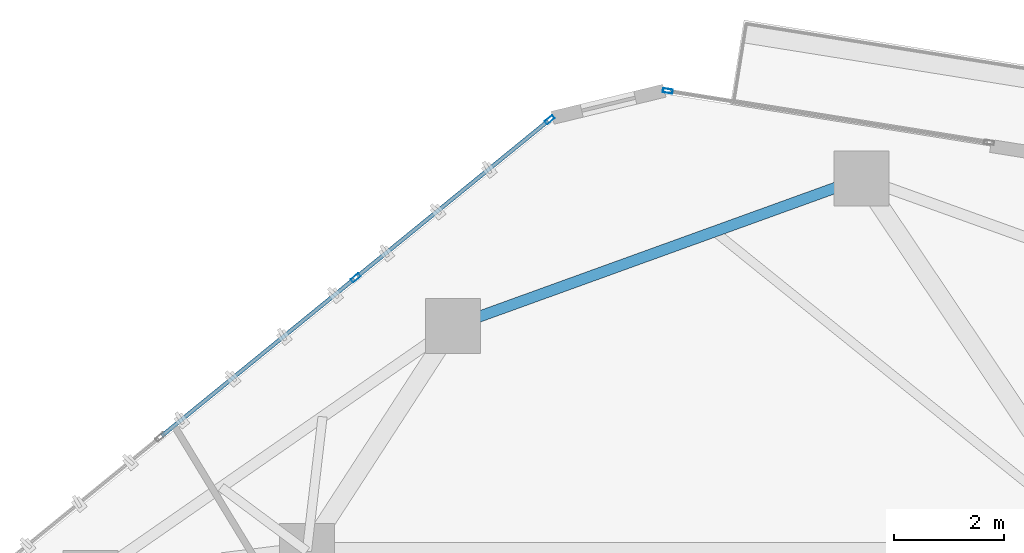
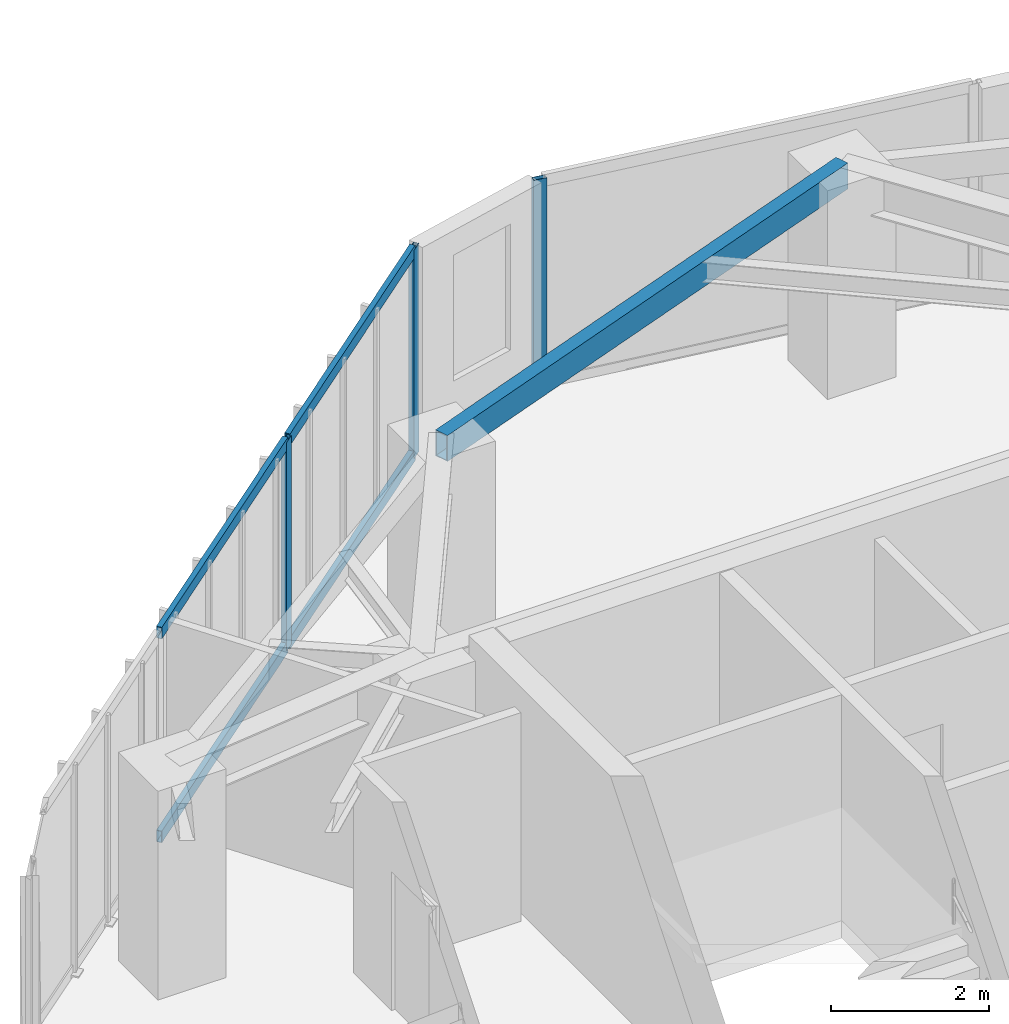
# One storey, part 14 of 22: 7 members, 1 beam, 2 elements without a shape of their own.
"""IFC4 building model written with IfcOpenShell, lengths in metres."""

from ifc_helpers import new_model, si_unit, direction, frame, origin, origin_2d, place, context, subcontext, project, spatial, hollow_rectangle, extrude, source, transform, mapped, material, layer, layer_set, material_profile, profile_set, type_object, type_shapes, element, aggregate, save


model = new_model("IFC4")

# Units and contexts
model_context = context("Model", 3, precision=1e-05, world=origin(), true_north=direction((0.0, 1.0)))
body_context = subcontext(model_context, "Body", "Model", "MODEL_VIEW")
ifc_project = project(units=[si_unit("LENGTHUNIT", "METRE"), si_unit("AREAUNIT", "SQUARE_METRE"), si_unit("VOLUMEUNIT", "CUBIC_METRE"), si_unit("PLANEANGLEUNIT", "RADIAN"), si_unit("MASSUNIT", "GRAM", prefix="KILO")], contexts=[model_context])

# Site, building, storey
site_placement = place(None, origin())
site = spatial("IfcSite", under=ifc_project, at=site_placement, CompositionType="ELEMENT")
building_placement = place(site_placement, origin())
building = spatial("IfcBuilding", under=site, at=building_placement, Name="Talar Marvaseh", CompositionType="ELEMENT")
storey_placement = place(building_placement, frame((0.0, 0.0, 229.199951171875)))
storey = spatial("IfcBuildingStorey", under=building, at=storey_placement, Name="L60", CompositionType="ELEMENT", Elevation=229.199951171875)

# Beam
ifc_material_1 = material(Name="Steel S355", Category="steel")
ifc_material_profile_1 = material_profile(ifc_material_1, hollow_rectangle(XDim=0.199951171875, YDim=0.39990234375, WallThickness=0.013916015625, at=origin_2d()), Name="RHS400x200x14")
ifc_profile_set_1 = profile_set([ifc_material_profile_1], Name="Steel S355")
beam_type = type_object("IfcBeamType", Name="Zone 3 Perimeter Spandrel Beam RHS400x200x14", PredefinedType="SPANDREL", material=ifc_profile_set_1)
beam_placement = place(storey_placement, frame((21.35205078125, 40.986083984375, 3.030029296875), z_axis=(0.940368006783, 0.340158803824, 0.0), x_axis=(-0.340158803824, 0.940368006783, 0.0)))
element("IfcBeam", 1, at=beam_placement, inside=storey, type_object=beam_type, Name="L60 Zone 3 Perimeter Spandrel Beam RHS400x200x14", PredefinedType="SPANDREL", context=body_context, shape_type="SweptSolid", body=[
    extrude(hollow_rectangle(XDim=0.199951171875, YDim=0.39990234375, WallThickness=0.013916015625, at=origin_2d()), origin(), (0.0, 0.0, 1.0), 7.88427734375),
])

# Curtain wall, members
ifc_material_2 = material(Name="Architectural Aluminium", Category="aluminium")
ifc_layer = layer(ifc_material_2, 0.18994140625)
ifc_layer_set = layer_set([ifc_layer], Name="Architectural Aluminium")
curtain_wall_type = type_object("IfcCurtainWallType", Name="Unitised Solar Atelier Curtain Wall Z3", PredefinedType="NOTDEFINED", material=ifc_layer_set)
curtain_wall_1_placement = place(storey_placement, origin())
curtain_wall_1 = element("IfcCurtainWall", 2, at=curtain_wall_1_placement, inside=storey, type_object=curtain_wall_type, Name="L60 Unitised Solar Atelier Curtain Wall Z3", PredefinedType="NOTDEFINED")
ifc_material_profile_2 = material_profile(ifc_material_2, hollow_rectangle(XDim=0.074951171875, YDim=0.179931640625, WallThickness=0.0048828125, at=origin_2d()), Name="RHS180x75x5")
ifc_profile_set_2 = profile_set([ifc_material_profile_2], Name="Architectural Aluminium")
member_type_1 = type_object("IfcMemberType", Name="Unitised Curtain Wall Standard Mullion RHS180x75x5", PredefinedType="MULLION", material=ifc_profile_set_2)
shared_shape_1 = source(origin(), body_context, "Body", "SweptSolid", [
    extrude(hollow_rectangle(XDim=0.074951171875, YDim=0.179931640625, WallThickness=0.0048828125, at=origin_2d()), origin(), (0.0, 0.0, 1.0), 3.22998046875),
])
type_shapes(member_type_1, [shared_shape_1])
member_1_placement = place(storey_placement, frame((19.586669921875, 41.86328125, 0.0), z_axis=(0.0, 0.0, 1.0), x_axis=(-0.63178365744, 0.775144767248, 0.0)))
member_1 = element("IfcMember", 3, at=member_1_placement, type_object=member_type_1, Name="CW-Z3 mullion 3", PredefinedType="MULLION", context=body_context, shape_type="MappedRepresentation", body=[
    mapped(shared_shape_1, transform((0.0, 0.0, 0.0), x_axis=(1.0, 0.0, 0.0), y_axis=(0.0, 1.0, 0.0), z_axis=(0.0, 0.0, 1.0), scale=1.0)),
])
member_2_placement = place(storey_placement, frame((23.105712890625, 44.7314453125, 0.0), z_axis=(0.0, 0.0, 1.0), x_axis=(-0.63178365744, 0.775144767248, 0.0)))
member_2 = element("IfcMember", 4, at=member_2_placement, type_object=member_type_1, Name="CW-Z3 mullion 4", PredefinedType="MULLION", context=body_context, shape_type="MappedRepresentation", body=[
    mapped(shared_shape_1, transform((0.0, 0.0, 0.0), x_axis=(1.0, 0.0, 0.0), y_axis=(0.0, 1.0, 0.0), z_axis=(0.0, 0.0, 1.0), scale=1.0)),
])

# Curtain wall, member
curtain_wall_2_placement = place(storey_placement, origin())
curtain_wall_2 = element("IfcCurtainWall", 5, at=curtain_wall_2_placement, inside=storey, type_object=curtain_wall_type, Name="L60 Unitised Solar Atelier Curtain Wall Z3", PredefinedType="NOTDEFINED")
member_3_placement = place(storey_placement, frame((25.248779296875, 45.25390625, 0.0), z_axis=(0.0, 0.0, 1.0), x_axis=(0.15808503423, 0.987425501976, 0.0)))
member_3 = element("IfcMember", 6, at=member_3_placement, type_object=member_type_1, Name="CW-Z3 mullion 1", PredefinedType="MULLION", context=body_context, shape_type="MappedRepresentation", body=[
    mapped(shared_shape_1, transform((0.0, 0.0, 0.0), x_axis=(1.0, 0.0, 0.0), y_axis=(0.0, 1.0, 0.0), z_axis=(0.0, 0.0, 1.0), scale=1.0)),
])
aggregate(curtain_wall_2, [member_3])

# Member
ifc_material_profile_3 = material_profile(ifc_material_2, hollow_rectangle(XDim=0.074951171875, YDim=0.179931640625, WallThickness=0.0048828125, at=origin_2d()), Name="RHS180x75x5")
ifc_profile_set_3 = profile_set([ifc_material_profile_3], Name="Architectural Aluminium")
member_type_2 = type_object("IfcMemberType", Name="Unitised Curtain Wall Transom RHS180x75x5", PredefinedType="USERDEFINED", material=ifc_profile_set_3)
shared_shape_2 = source(origin(), body_context, "Body", "SweptSolid", [
    extrude(hollow_rectangle(XDim=0.074951171875, YDim=0.179931640625, WallThickness=0.0048828125, at=origin_2d()), origin(), (0.0, 0.0, 1.0), 4.46484375),
])
member_4_placement = place(storey_placement, frame((19.61572265625, 41.886962890625, 0.03759765625), z_axis=(0.775149689612, 0.631777618071, 0.0), x_axis=(-0.631777618071, 0.775149689612, 0.0)))
member_4 = element("IfcMember", 7, at=member_4_placement, type_object=member_type_2, Name="CW-Z3 transom 3.1", ObjectType="TRANSOM", PredefinedType="USERDEFINED", context=body_context, shape_type="MappedRepresentation", body=[
    mapped(shared_shape_2, transform((0.0, 0.0, 0.0), x_axis=(1.0, 0.0, 0.0), y_axis=(0.0, 1.0, 0.0), z_axis=(0.0, 0.0, 1.0), scale=1.0)),
])

member_5_placement = place(storey_placement, frame((19.61572265625, 41.886962890625, 3.192626953125), z_axis=(0.775149689612, 0.631777618071, 0.0), x_axis=(-0.631777618071, 0.775149689612, 0.0)))
member_5 = element("IfcMember", 8, at=member_5_placement, type_object=member_type_2, Name="CW-Z3 transom 3.2", ObjectType="TRANSOM", PredefinedType="USERDEFINED", context=body_context, shape_type="MappedRepresentation", body=[
    mapped(shared_shape_2, transform((0.0, 0.0, 0.0), x_axis=(1.0, 0.0, 0.0), y_axis=(0.0, 1.0, 0.0), z_axis=(0.0, 0.0, 1.0), scale=1.0)),
])

shared_shape_3 = source(origin(), body_context, "Body", "SweptSolid", [
    extrude(hollow_rectangle(XDim=0.074951171875, YDim=0.179931640625, WallThickness=0.0048828125, at=origin_2d()), origin(), (0.0, 0.0, 1.0), 4.50244140625),
])
type_shapes(member_type_2, [shared_shape_2, shared_shape_3])
member_6_placement = place(storey_placement, frame((16.067626953125, 38.9951171875, 0.03759765625), z_axis=(0.775149416116, 0.631777953632, 0.0), x_axis=(-0.631777953632, 0.775149416116, 0.0)))
member_6 = element("IfcMember", 9, at=member_6_placement, type_object=member_type_2, Name="CW-Z3 transom 2.1", ObjectType="TRANSOM", PredefinedType="USERDEFINED", context=body_context, shape_type="MappedRepresentation", body=[
    mapped(shared_shape_3, transform((0.0, 0.0, 0.0), x_axis=(1.0, 0.0, 0.0), y_axis=(0.0, 1.0, 0.0), z_axis=(0.0, 0.0, 1.0), scale=1.0)),
])

member_7_placement = place(storey_placement, frame((16.067626953125, 38.9951171875, 3.192626953125), z_axis=(0.775149416116, 0.631777953632, 0.0), x_axis=(-0.631777953632, 0.775149416116, 0.0)))
member_7 = element("IfcMember", 10, at=member_7_placement, type_object=member_type_2, Name="CW-Z3 transom 2.2", ObjectType="TRANSOM", PredefinedType="USERDEFINED", context=body_context, shape_type="MappedRepresentation", body=[
    mapped(shared_shape_3, transform((0.0, 0.0, 0.0), x_axis=(1.0, 0.0, 0.0), y_axis=(0.0, 1.0, 0.0), z_axis=(0.0, 0.0, 1.0), scale=1.0)),
])

aggregate(curtain_wall_1, [member_1, member_2, member_6, member_7, member_4, member_5])

save(model, "model.ifc")
